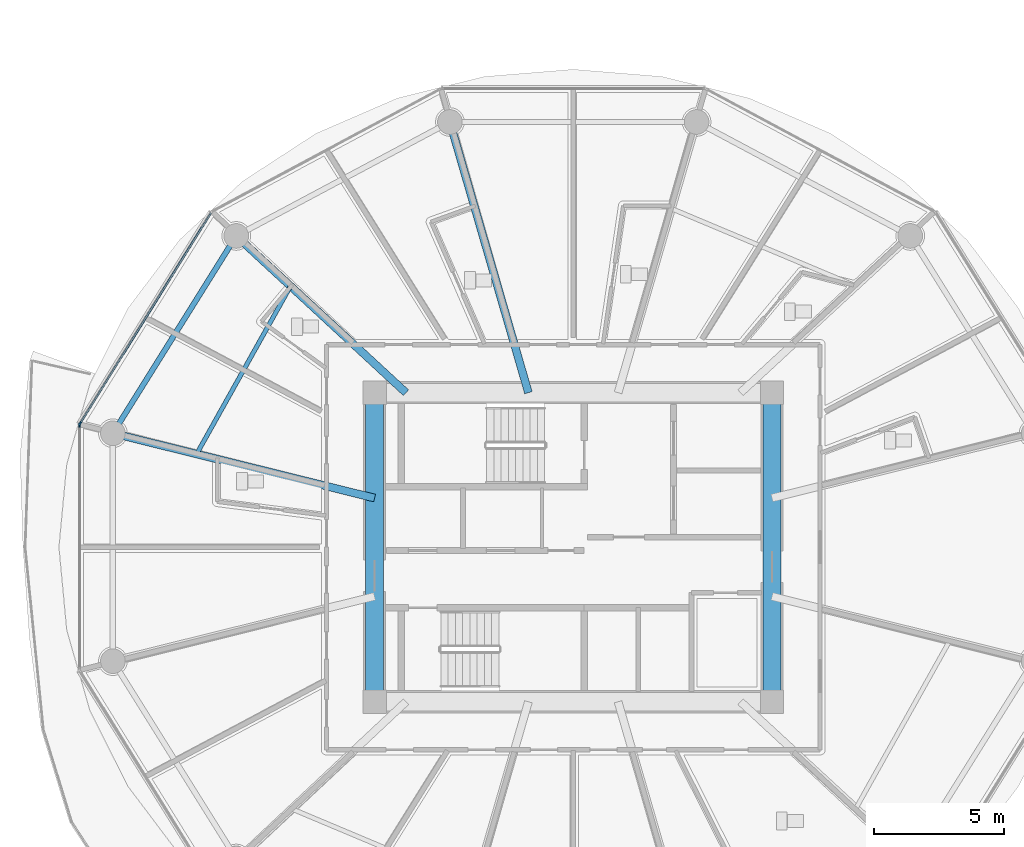
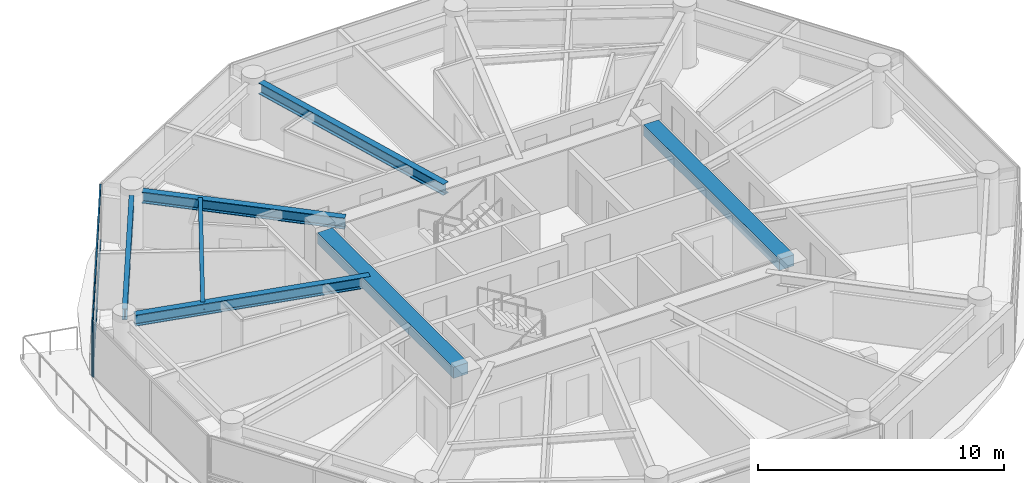
# One storey, part 4 of 31: 7 beams, 4 members, 2 elements without a shape of their own.
"""IFC4 building model written with IfcOpenShell, lengths in metres."""

import ifcopenshell
import ifcopenshell.guid

model = None  # the IFC model being written
_history = None  # IfcOwnerHistory: only IFC2X3 demands one
_inside = {}  # id of a spatial element -> (the spatial element, [elements in it])
_under = {}  # id of a project, library or spatial element -> (it, [spatial elements below it])
_declared = {}  # id of a project -> (the project, [libraries it declares])
_typed = {}  # id of a type object -> (the type object, [elements of that type])
_made_of = {}  # id of a material, layer set ... -> (it, [elements and type objects made of it])


def new_model(schema):
    """Start an empty IFC model of exactly this schema.

    Asked for "IFC4X3", IfcOpenShell would pick the latest addendum, in which some entities
    have other attributes; the version numbers below select the first issue.
    IFC2X3 requires an IfcOwnerHistory on every rooted entity: one is made here for all.
    """
    global model, _history
    if schema == "IFC4X3":
        model = ifcopenshell.file(schema_version=(4, 3, 0, 0))
    else:
        model = ifcopenshell.file(schema=schema)
    _inside.clear()
    _under.clear()
    _declared.clear()
    _typed.clear()
    _made_of.clear()
    _history = None
    if model.schema == "IFC2X3":
        org = make("IfcOrganization", Name="unknown")
        user = make(
            "IfcPersonAndOrganization",
            ThePerson=make("IfcPerson", FamilyName="unknown"),
            TheOrganization=org,
        )
        app = make(
            "IfcApplication",
            ApplicationDeveloper=org,
            Version="unknown",
            ApplicationFullName="unknown",
            ApplicationIdentifier="unknown",
        )
        _history = make(
            "IfcOwnerHistory",
            OwningUser=user,
            OwningApplication=app,
            ChangeAction="ADDED",
            CreationDate=0,
        )
    return model


def make(cls, **values):
    """One entity of the class cls with the attributes given. An attribute that is None is left unset."""
    return model.create_entity(
        cls, **{name: value for name, value in values.items() if value is not None}
    )


def rooted(cls, **values):
    """An entity with a GlobalId (a new one), such as an element, a storey or a relation."""
    return make(cls, GlobalId=ifcopenshell.guid.new(), OwnerHistory=_history, **values)


def si_unit(unit_type, name, prefix=None):
    """IfcSIUnit, for example si_unit("LENGTHUNIT", "METRE", prefix="MILLI")."""
    return make("IfcSIUnit", UnitType=unit_type, Prefix=prefix, Name=name)


def assignment(units):
    """IfcUnitAssignment: the units of a project."""
    return None if units is None else make("IfcUnitAssignment", Units=units)


def point(xyz):
    """IfcCartesianPoint."""
    return None if xyz is None else make("IfcCartesianPoint", Coordinates=xyz)


def direction(xyz):
    """IfcDirection."""
    return None if xyz is None else make("IfcDirection", DirectionRatios=xyz)


def frame(location, z_axis=None, x_axis=None):
    """IfcAxis2Placement3D, a coordinate frame: its origin and axes. An axis left out is left unset."""
    return make(
        "IfcAxis2Placement3D",
        Location=point(location),
        Axis=direction(z_axis),
        RefDirection=direction(x_axis),
    )


def frame_2d(location, x_axis=None):
    """IfcAxis2Placement2D, a coordinate frame in the plane: its origin and x axis."""
    return make(
        "IfcAxis2Placement2D", Location=point(location), RefDirection=direction(x_axis)
    )


def origin():
    """The frame at (0, 0, 0) with its axes left unset."""
    return frame((0.0, 0.0, 0.0))


def origin_2d():
    """The frame at (0, 0) in the plane with its x axis left unset."""
    return frame_2d((0.0, 0.0))


def place(relative_to, where):
    """IfcLocalPlacement: puts the frame where relative to a parent placement (None: the world)."""
    return make(
        "IfcLocalPlacement", PlacementRelTo=relative_to, RelativePlacement=where
    )


def context(
    kind, dimensions, precision=None, world=None, true_north=None, identifier=None
):
    """IfcGeometricRepresentationContext, for example the 3D "Model" context."""
    return make(
        "IfcGeometricRepresentationContext",
        ContextIdentifier=identifier,
        ContextType=kind,
        CoordinateSpaceDimension=dimensions,
        Precision=precision,
        WorldCoordinateSystem=world,
        TrueNorth=true_north,
    )


def subcontext(parent, identifier, kind, view, scale=None):
    """IfcGeometricRepresentationSubContext, for example "Body" below "Model"."""
    return make(
        "IfcGeometricRepresentationSubContext",
        ContextIdentifier=identifier,
        ContextType=kind,
        ParentContext=parent,
        TargetScale=scale,
        TargetView=view,
    )


def project(units=None, contexts=None):
    """IfcProject with its units and contexts."""
    return rooted(
        "IfcProject",
        Name="project",
        RepresentationContexts=contexts,
        UnitsInContext=assignment(units),
    )


def spatial(cls, under=None, at=None, **own):
    """A site, building, storey or space (cls), placed at a placement, below another one or the project."""
    s = rooted(cls, ObjectPlacement=at, **own)
    if under is not None:
        _under.setdefault(under.id(), (under, []))[1].append(s)
    return s


def profile(cls, at=None, kind="AREA", **sizes):
    """A parametric profile (cls). Its sizes go by their IFC names, for example OverallWidth=200.0."""
    return make(cls, ProfileType=kind, Position=at, **sizes)


def rectangle(**sizes):
    """IfcRectangleProfileDef."""
    return profile("IfcRectangleProfileDef", **sizes)


def i_section(**sizes):
    """IfcIShapeProfileDef."""
    return profile("IfcIShapeProfileDef", **sizes)


def extrude(swept, where, along, depth):
    """IfcExtrudedAreaSolid: the profile swept, set in the frame where, extruded along a direction by depth."""
    return make(
        "IfcExtrudedAreaSolid",
        SweptArea=swept,
        Position=where,
        ExtrudedDirection=direction(along),
        Depth=depth,
    )


def shape(context_of_items, identifier, shape_type, items):
    """IfcShapeRepresentation: the items that make up one representation, for example the "Body"."""
    return make(
        "IfcShapeRepresentation",
        ContextOfItems=context_of_items,
        RepresentationIdentifier=identifier,
        RepresentationType=shape_type,
        Items=items,
    )


def source(mapping_origin, context_of_items, identifier, shape_type, items):
    """IfcRepresentationMap: a shape defined once, which mapped items show again and again."""
    return make(
        "IfcRepresentationMap",
        MappingOrigin=mapping_origin,
        MappedRepresentation=shape(context_of_items, identifier, shape_type, items),
    )


def transform(
    local_origin,
    x_axis=None,
    y_axis=None,
    z_axis=None,
    scale=None,
    scale2=None,
    scale3=None,
    uniform=True,
):
    """IfcCartesianTransformationOperator3D, or its non-uniform kind. x_axis, y_axis, z_axis: its Axis1, 2, 3."""
    if uniform:
        return make(
            "IfcCartesianTransformationOperator3D",
            Axis1=direction(x_axis),
            Axis2=direction(y_axis),
            LocalOrigin=point(local_origin),
            Scale=scale,
            Axis3=direction(z_axis),
        )
    return make(
        "IfcCartesianTransformationOperator3DnonUniform",
        Axis1=direction(x_axis),
        Axis2=direction(y_axis),
        LocalOrigin=point(local_origin),
        Scale=scale,
        Axis3=direction(z_axis),
        Scale2=scale2,
        Scale3=scale3,
    )


def mapped(mapping_source, mapping_target):
    """IfcMappedItem: shows the shape of a source again, moved by a transform."""
    return make(
        "IfcMappedItem", MappingSource=mapping_source, MappingTarget=mapping_target
    )


def material(Name=None, Category=None):
    """IfcMaterial."""
    return make("IfcMaterial", Name=Name, Category=Category)


def layer(
    of_material, thickness, ventilated=None, Name=None, Category=None, Priority=None
):
    """IfcMaterialLayer: one layer of a wall or slab, of a material (None: an air gap)."""
    return make(
        "IfcMaterialLayer",
        Material=of_material,
        LayerThickness=thickness,
        IsVentilated=ventilated,
        Name=Name,
        Category=Category,
        Priority=Priority,
    )


def layer_set(layers, Name=None):
    """IfcMaterialLayerSet."""
    return make("IfcMaterialLayerSet", MaterialLayers=layers, LayerSetName=Name)


def material_profile(
    of_material, cross_section, Name=None, Category=None, Priority=None
):
    """IfcMaterialProfile: a cross section and its material."""
    return make(
        "IfcMaterialProfile",
        Name=Name,
        Material=of_material,
        Profile=cross_section,
        Priority=Priority,
        Category=Category,
    )


def profile_set(profiles, Name=None, composite=None):
    """IfcMaterialProfileSet."""
    return make(
        "IfcMaterialProfileSet",
        Name=Name,
        MaterialProfiles=profiles,
        CompositeProfile=composite,
    )


def made_of(thing, what):
    """Note that an element or type object is made of a material, layer set ...; save() writes the relation."""
    if what is not None:
        _made_of.setdefault(what.id(), (what, []))[1].append(thing)
    return thing


def type_object(cls, material=None, **own):
    """A type object (cls), such as IfcWallType, which elements share."""
    return made_of(rooted(cls, **own), material)


def type_shapes(of_type, sources):
    """Give a type object the sources (RepresentationMaps) that its elements show as mapped items."""
    of_type.RepresentationMaps = sources


def element(
    cls,
    number,
    at=None,
    inside=None,
    cuts=None,
    type_object=None,
    material=None,
    context=None,
    identifier="Body",
    shape_type=None,
    held_by="IfcProductDefinitionShape",
    body=None,
    shapes=None,
    **own,
):
    """One element of the class cls, such as IfcWall. Its Tag is "e" and its number.

    at: its placement. inside: the storey or other place that contains it. cuts: it is an
    opening in that element (IfcRelVoidsElement). A single representation is given by context,
    identifier, shape_type and body (its items); several are given by shapes. held_by: the class
    of the entity that holds the representations. save() writes the other relations.
    """
    e = rooted(cls, Tag="e%d" % number, ObjectPlacement=at, **own)
    if body is not None:
        shapes = [shape(context, identifier, shape_type, body)]
    if shapes is not None:
        e.Representation = make(held_by, Representations=shapes)
    if inside is not None:
        _inside.setdefault(inside.id(), (inside, []))[1].append(e)
    if cuts is not None:
        rooted(
            "IfcRelVoidsElement", RelatingBuildingElement=cuts, RelatedOpeningElement=e
        )
    if type_object is not None:
        _typed.setdefault(type_object.id(), (type_object, []))[1].append(e)
    return made_of(e, material)


def aggregate(whole, parts):
    """IfcRelAggregates: a whole, such as a stair, and the parts it consists of."""
    return rooted("IfcRelAggregates", RelatingObject=whole, RelatedObjects=parts)


def save(model, path):
    """Write the relations noted so far, then the file.

    IfcRelAggregates (storeys below a building ...), IfcRelContainedInSpatialStructure (elements
    in a storey), IfcRelDefinesByType, IfcRelAssociatesMaterial and IfcRelDeclares: one each for
    every whole, place, type object, material and project.
    """
    for whole, parts in _under.values():
        aggregate(whole, parts)
    for where, things in _inside.values():
        rooted(
            "IfcRelContainedInSpatialStructure",
            RelatedElements=things,
            RelatingStructure=where,
        )
    for kind, things in _typed.values():
        rooted("IfcRelDefinesByType", RelatedObjects=things, RelatingType=kind)
    for what, things in _made_of.values():
        rooted("IfcRelAssociatesMaterial", RelatedObjects=things, RelatingMaterial=what)
    for by, libraries in _declared.values():
        rooted("IfcRelDeclares", RelatingContext=by, RelatedDefinitions=libraries)
    model.write(path)


model = new_model("IFC4")

# Units and contexts
model_context = context("Model", 3, precision=1e-05, world=origin(), true_north=direction((0.0, 1.0)))
body_context = subcontext(model_context, "Body", "Model", "MODEL_VIEW")
ifc_project = project(units=[si_unit("LENGTHUNIT", "METRE"), si_unit("AREAUNIT", "SQUARE_METRE"), si_unit("VOLUMEUNIT", "CUBIC_METRE"), si_unit("PLANEANGLEUNIT", "RADIAN"), si_unit("MASSUNIT", "GRAM", prefix="KILO")], contexts=[model_context])

# Site, building, storey
site_placement = place(None, origin())
site = spatial("IfcSite", under=ifc_project, at=site_placement, CompositionType="ELEMENT")
building_placement = place(site_placement, origin())
building = spatial("IfcBuilding", under=site, at=building_placement, Name="Norrkilde Senior Care Towers", CompositionType="ELEMENT")
storey_placement = place(building_placement, frame((0.0, 0.0, 42.949951171875)))
storey = spatial("IfcBuildingStorey", under=building, at=storey_placement, Name="L12", CompositionType="ELEMENT", Elevation=42.949951171875)

# Beams
ifc_material_1 = material(Name="Concrete C60/75", Category="concrete")
ifc_material_profile_1 = material_profile(ifc_material_1, rectangle(XDim=0.699951171875, YDim=0.550048828125, at=origin_2d()), Name="RC BM 700x550")
ifc_profile_set_1 = profile_set([ifc_material_profile_1], Name="Concrete C60/75")
beam_type_1 = type_object("IfcBeamType", Name="Core Portal Coupling Beam 700x550", PredefinedType="USERDEFINED", material=ifc_profile_set_1)
shared_shape_1 = source(origin(), body_context, "Body", "SweptSolid", [
    extrude(rectangle(XDim=0.699951171875, YDim=0.550048828125, at=origin_2d()), origin(), (0.0, 0.0, 1.0), 11.0400390625),
])
type_shapes(beam_type_1, [shared_shape_1])
for number, where, z_axis, x_axis, name in (
    (1, (-35.64990234375, -5.52001953125, 2.51513671875), (0.0, 1.0, 0.0), (-1.0, 0.0, 0.0), "L12 Core W W Coupling Girder"),
    (2, (-20.35009765625, -5.52001953125, 2.51513671875), (0.0, 1.0, 0.0), (-1.0, 0.0, 0.0), "L12 Core W E Coupling Girder"),
):
    element("IfcBeam", number, at=place(storey_placement, frame(where, z_axis=z_axis, x_axis=x_axis)), inside=storey, type_object=beam_type_1, Name=name, ObjectType="GIRDER", PredefinedType="USERDEFINED", context=body_context, shape_type="MappedRepresentation", body=[
        mapped(shared_shape_1, transform((0.0, 0.0, 0.0), x_axis=(1.0, 0.0, 0.0), y_axis=(0.0, 1.0, 0.0), z_axis=(0.0, 0.0, 1.0), scale=1.0)),
    ])
ifc_material_2 = material(Name="Steel S355", Category="steel")
ifc_material_profile_2 = material_profile(ifc_material_2, i_section(OverallWidth=0.2099609375, OverallDepth=0.550048828125, WebThickness=0.010986328125, FlangeThickness=0.01708984375, FilletRadius=0.02392578125, at=origin_2d()), Name="IPE 550")
ifc_profile_set_2 = profile_set([ifc_material_profile_2], Name="Steel S355")
beam_type_2 = type_object("IfcBeamType", Name="Perimeter Ring Spandrel Z1 IPE550", PredefinedType="SPANDREL", material=ifc_profile_set_2)
shared_shape_2 = source(origin(), body_context, "Body", "SweptSolid", [
    extrude(i_section(OverallWidth=0.2099609375, OverallDepth=0.550048828125, WebThickness=0.010986328125, FlangeThickness=0.01708984375, FilletRadius=0.02392578125, at=origin_2d()), origin(), (0.0, 0.0, 1.0), 8.090576171875),
])
type_shapes(beam_type_2, [shared_shape_2])
beam_1_placement = place(storey_placement, frame((-41.2060546875, 11.61669921875, 2.51513671875), z_axis=(-0.530004364821, -0.84799491347, 0.0), x_axis=(0.84799491347, -0.530004364821, 0.0)))
element("IfcBeam", 3, at=beam_1_placement, inside=storey, type_object=beam_type_2, Name="L12 Drum W Perimeter Spandrel 05", PredefinedType="SPANDREL", context=body_context, shape_type="MappedRepresentation", body=[
    mapped(shared_shape_2, transform((0.0, 0.0, 0.0), x_axis=(1.0, 0.0, 0.0), y_axis=(0.0, 1.0, 0.0), z_axis=(0.0, 0.0, 1.0), scale=1.0)),
])
ifc_material_profile_3 = material_profile(ifc_material_2, i_section(OverallWidth=0.300048828125, OverallDepth=0.550048828125, WebThickness=0.014892578125, FlangeThickness=0.029052734375, FilletRadius=0.027099609375, at=origin_2d()), Name="HEB 550")
ifc_profile_set_3 = profile_set([ifc_material_profile_3], Name="Steel S355")
beam_type_3 = type_object("IfcBeamType", Name="Radial Floor Beam Z1 HEB550", PredefinedType="BEAM", material=ifc_profile_set_3)
shared_shape_3 = source(origin(), body_context, "Body", "SweptSolid", [
    extrude(i_section(OverallWidth=0.300048828125, OverallDepth=0.550048828125, WebThickness=0.014892578125, FlangeThickness=0.029052734375, FilletRadius=0.027099609375, at=origin_2d()), origin(), (0.0, 0.0, 1.0), 9.94384765625),
])
beam_2_placement = place(storey_placement, frame((-35.64990234375, 1.893310546875, 2.51513671875), z_axis=(-0.970707425182, 0.240264634718, 0.0), x_axis=(-0.240264634718, -0.970707425182, 0.0)))
element("IfcBeam", 4, at=beam_2_placement, inside=storey, type_object=beam_type_3, Name="L12 Drum W Radial Floor Beam 06", PredefinedType="BEAM", context=body_context, shape_type="MappedRepresentation", body=[
    mapped(shared_shape_3, transform((0.0, 0.0, 0.0), x_axis=(1.0, 0.0, 0.0), y_axis=(0.0, 1.0, 0.0), z_axis=(0.0, 0.0, 1.0), scale=1.0)),
])
shared_shape_4 = source(origin(), body_context, "Body", "SweptSolid", [
    extrude(i_section(OverallWidth=0.300048828125, OverallDepth=0.550048828125, WebThickness=0.014892578125, FlangeThickness=0.029052734375, FilletRadius=0.027099609375, at=origin_2d()), origin(), (0.0, 0.0, 1.0), 8.459716796875),
])
beam_3_placement = place(storey_placement, frame((-34.44140625, 5.949951171875, 2.51513671875), z_axis=(-0.734573269108, 0.678529374686, 0.0), x_axis=(-0.678529374686, -0.734573269108, 0.0)))
element("IfcBeam", 5, at=beam_3_placement, inside=storey, type_object=beam_type_3, Name="L12 Drum W Radial Floor Beam 05", PredefinedType="BEAM", context=body_context, shape_type="MappedRepresentation", body=[
    mapped(shared_shape_4, transform((0.0, 0.0, 0.0), x_axis=(1.0, 0.0, 0.0), y_axis=(0.0, 1.0, 0.0), z_axis=(0.0, 0.0, 1.0), scale=1.0)),
])
shared_shape_5 = source(origin(), body_context, "Body", "SweptSolid", [
    extrude(i_section(OverallWidth=0.300048828125, OverallDepth=0.550048828125, WebThickness=0.014892578125, FlangeThickness=0.029052734375, FilletRadius=0.027099609375, at=origin_2d()), origin(), (0.0, 0.0, 1.0), 10.4169921875),
])
type_shapes(beam_type_3, [shared_shape_3, shared_shape_4, shared_shape_5])
beam_4_placement = place(storey_placement, frame((-29.72607421875, 5.949951171875, 2.51513671875), z_axis=(-0.278591250785, 0.960409764104, 0.0), x_axis=(-0.960409764104, -0.278591250785, 0.0)))
element("IfcBeam", 6, at=beam_4_placement, inside=storey, type_object=beam_type_3, Name="L12 Drum W Radial Floor Beam 04", PredefinedType="BEAM", context=body_context, shape_type="MappedRepresentation", body=[
    mapped(shared_shape_5, transform((0.0, 0.0, 0.0), x_axis=(1.0, 0.0, 0.0), y_axis=(0.0, 1.0, 0.0), z_axis=(0.0, 0.0, 1.0), scale=1.0)),
])
ifc_material_profile_4 = material_profile(ifc_material_2, i_section(OverallWidth=0.169921875, OverallDepth=0.360107421875, WebThickness=0.008056640625, FlangeThickness=0.0126953125, FilletRadius=0.01806640625, at=origin_2d()), Name="IPE 360")
ifc_profile_set_4 = profile_set([ifc_material_profile_4], Name="Steel S355")
beam_type_4 = type_object("IfcBeamType", Name="Secondary Floor Joist IPE360", PredefinedType="JOIST", material=ifc_profile_set_4)
shared_shape_6 = source(origin(), body_context, "Body", "SweptSolid", [
    extrude(i_section(OverallWidth=0.169921875, OverallDepth=0.360107421875, WebThickness=0.008056640625, FlangeThickness=0.0126953125, FilletRadius=0.01806640625, at=origin_2d()), origin(), (0.0, 0.0, 1.0), 7.40771484375),
])
type_shapes(beam_type_4, [shared_shape_6])
beam_5_placement = place(storey_placement, frame((-38.884521484375, 10.05419921875, 2.610107421875), z_axis=(-0.488167754092, -0.872749817453, 0.0), x_axis=(0.872749817453, -0.488167754092, 0.0)))
element("IfcBeam", 7, at=beam_5_placement, inside=storey, type_object=beam_type_4, Name="L12 Drum W Secondary Floor Joist 2", PredefinedType="JOIST", context=body_context, shape_type="MappedRepresentation", body=[
    mapped(shared_shape_6, transform((0.0, 0.0, 0.0), x_axis=(1.0, 0.0, 0.0), y_axis=(0.0, 1.0, 0.0), z_axis=(0.0, 0.0, 1.0), scale=1.0)),
])

# Curtain wall, member
ifc_material_3 = material(Name="Triple Low-E Insulated Glazing", Category="glass")
ifc_layer = layer(ifc_material_3, 0.199951171875)
ifc_layer_set = layer_set([ifc_layer], Name="Triple Low-E Insulated Glazing")
curtain_wall_type = type_object("IfcCurtainWallType", Name="CW2 Zone 1 Memory Care Curtain Wall", PredefinedType="NOTDEFINED", material=ifc_layer_set)
curtain_wall_1_placement = place(storey_placement, origin())
curtain_wall_1 = element("IfcCurtainWall", 8, at=curtain_wall_1_placement, inside=storey, type_object=curtain_wall_type, Name="L12 Drum W Curtain Wall 04", PredefinedType="NOTDEFINED")
ifc_material_4 = material(Name="Anodised Aluminium", Category="aluminium")
ifc_material_profile_5 = material_profile(ifc_material_4, rectangle(XDim=0.06494140625, YDim=0.159912109375, at=origin_2d()), Name="ALU MULL 65x160")
ifc_profile_set_5 = profile_set([ifc_material_profile_5], Name="Anodised Aluminium")
member_type_1 = type_object("IfcMemberType", Name="Curtain Wall Mullion Z1-Z2 65x160", PredefinedType="MULLION", material=ifc_profile_set_5)
shared_shape_7 = source(origin(), body_context, "Body", "SweptSolid", [
    extrude(rectangle(XDim=0.06494140625, YDim=0.159912109375, at=origin_2d()), origin(), (0.0, 0.0, 1.0), 2.7900390625),
])
type_shapes(member_type_1, [shared_shape_7])
member_1_placement = place(storey_placement, frame((-46.9921875, 4.7587890625, 0.0), z_axis=(0.0, 0.0, 1.0), x_axis=(-0.849305943117, 0.527900951871, 0.0)))
member_1 = element("IfcMember", 9, at=member_1_placement, type_object=member_type_1, Name="CW-2 mullion 1", PredefinedType="MULLION", context=body_context, shape_type="MappedRepresentation", body=[
    mapped(shared_shape_7, transform((0.0, 0.0, 0.0), x_axis=(1.0, 0.0, 0.0), y_axis=(0.0, 1.0, 0.0), z_axis=(0.0, 0.0, 1.0), scale=1.0)),
])

curtain_wall_2_placement = place(storey_placement, origin())
curtain_wall_2 = element("IfcCurtainWall", 10, at=curtain_wall_2_placement, inside=storey, type_object=curtain_wall_type, Name="L12 Drum W Curtain Wall 05", PredefinedType="NOTDEFINED")
member_2_placement = place(storey_placement, frame((-47.009521484375, 4.69873046875, 0.0), z_axis=(0.0, 0.0, 1.0), x_axis=(-1.0, 0.0, 0.0)))
member_2 = element("IfcMember", 11, at=member_2_placement, type_object=member_type_1, Name="CW-2 mullion 2", PredefinedType="MULLION", context=body_context, shape_type="MappedRepresentation", body=[
    mapped(shared_shape_7, transform((0.0, 0.0, 0.0), x_axis=(1.0, 0.0, 0.0), y_axis=(0.0, 1.0, 0.0), z_axis=(0.0, 0.0, 1.0), scale=1.0)),
])
aggregate(curtain_wall_2, [member_2])

# Member
ifc_material_profile_6 = material_profile(ifc_material_4, rectangle(XDim=0.06005859375, YDim=0.1201171875, at=origin_2d()), Name="ALU TRAN 60x120")
ifc_profile_set_6 = profile_set([ifc_material_profile_6], Name="Anodised Aluminium")
member_type_2 = type_object("IfcMemberType", Name="Curtain Wall Transom Typical 60x120", PredefinedType="USERDEFINED", material=ifc_profile_set_6)
shared_shape_8 = source(origin(), body_context, "Body", "SweptSolid", [
    extrude(rectangle(XDim=0.06005859375, YDim=0.1201171875, at=origin_2d()), origin(), (0.0, 0.0, 1.0), 9.5185546875),
])
type_shapes(member_type_2, [shared_shape_8])
member_3_placement = place(storey_placement, frame((-46.97509765625, 4.786376953125, 0.030029296875), z_axis=(0.527901620669, 0.849305527413, 0.0), x_axis=(-0.849305527413, 0.527901620669, 0.0)))
member_3 = element("IfcMember", 12, at=member_3_placement, type_object=member_type_2, Name="CW-2 transom 1.1", ObjectType="TRANSOM", PredefinedType="USERDEFINED", context=body_context, shape_type="MappedRepresentation", body=[
    mapped(shared_shape_8, transform((0.0, 0.0, 0.0), x_axis=(1.0, 0.0, 0.0), y_axis=(0.0, 1.0, 0.0), z_axis=(0.0, 0.0, 1.0), scale=1.0)),
])

member_4_placement = place(storey_placement, frame((-46.97509765625, 4.786376953125, 2.760009765625), z_axis=(0.527901620669, 0.849305527413, 0.0), x_axis=(-0.849305527413, 0.527901620669, 0.0)))
member_4 = element("IfcMember", 13, at=member_4_placement, type_object=member_type_2, Name="CW-2 transom 1.2", ObjectType="TRANSOM", PredefinedType="USERDEFINED", context=body_context, shape_type="MappedRepresentation", body=[
    mapped(shared_shape_8, transform((0.0, 0.0, 0.0), x_axis=(1.0, 0.0, 0.0), y_axis=(0.0, 1.0, 0.0), z_axis=(0.0, 0.0, 1.0), scale=1.0)),
])

aggregate(curtain_wall_1, [member_1, member_3, member_4])

save(model, "model.ifc")
